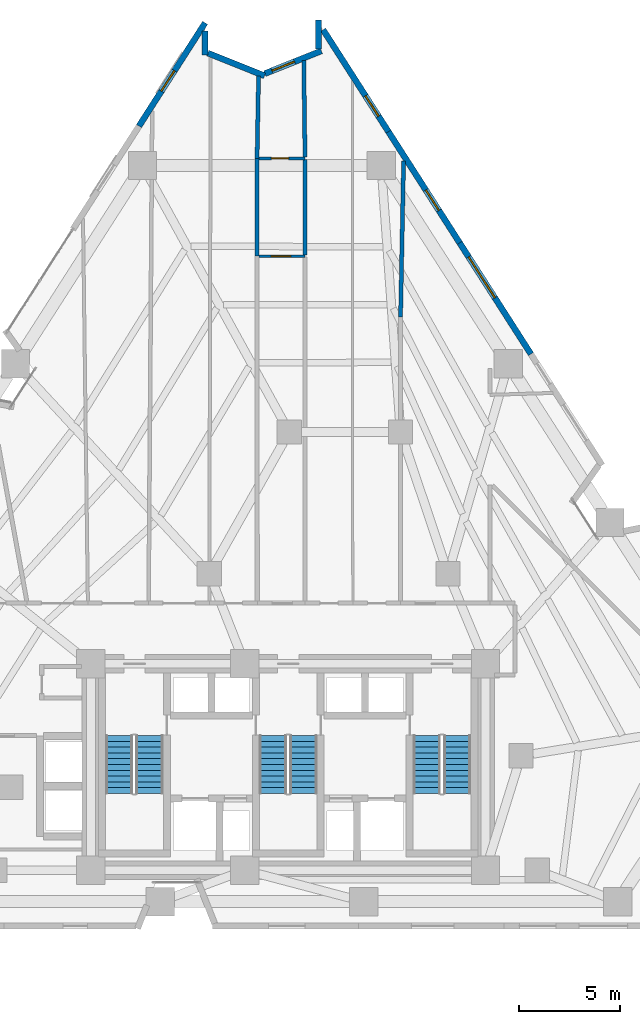
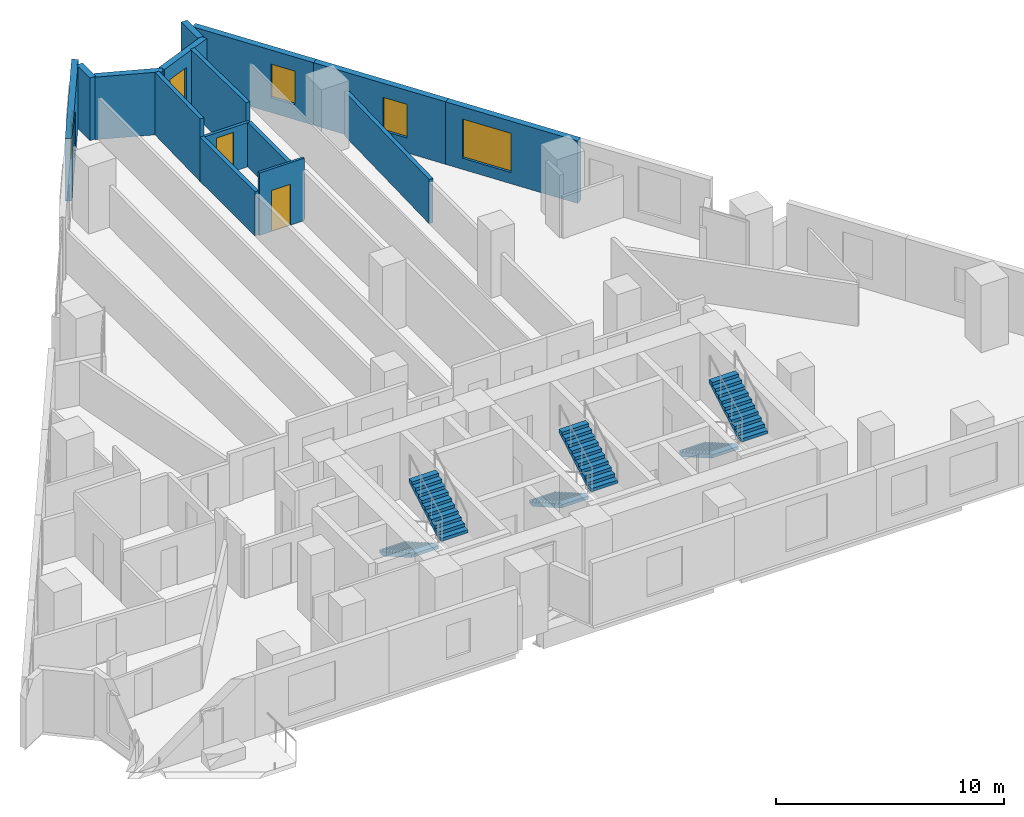
# One storey, part 11 of 14: 15 walls, 6 stair flights, 5 windows, 2 doors, 7 openings, 3 elements without a shape of their own.
"""IFC4 building model written with IfcOpenShell, lengths in metres."""

import ifcopenshell
import ifcopenshell.guid

model = None  # the IFC model being written
_history = None  # IfcOwnerHistory: only IFC2X3 demands one
_inside = {}  # id of a spatial element -> (the spatial element, [elements in it])
_under = {}  # id of a project, library or spatial element -> (it, [spatial elements below it])
_declared = {}  # id of a project -> (the project, [libraries it declares])
_typed = {}  # id of a type object -> (the type object, [elements of that type])
_made_of = {}  # id of a material, layer set ... -> (it, [elements and type objects made of it])


def new_model(schema):
    """Start an empty IFC model of exactly this schema.

    Asked for "IFC4X3", IfcOpenShell would pick the latest addendum, in which some entities
    have other attributes; the version numbers below select the first issue.
    IFC2X3 requires an IfcOwnerHistory on every rooted entity: one is made here for all.
    """
    global model, _history
    if schema == "IFC4X3":
        model = ifcopenshell.file(schema_version=(4, 3, 0, 0))
    else:
        model = ifcopenshell.file(schema=schema)
    _inside.clear()
    _under.clear()
    _declared.clear()
    _typed.clear()
    _made_of.clear()
    _history = None
    if model.schema == "IFC2X3":
        org = make("IfcOrganization", Name="unknown")
        user = make(
            "IfcPersonAndOrganization",
            ThePerson=make("IfcPerson", FamilyName="unknown"),
            TheOrganization=org,
        )
        app = make(
            "IfcApplication",
            ApplicationDeveloper=org,
            Version="unknown",
            ApplicationFullName="unknown",
            ApplicationIdentifier="unknown",
        )
        _history = make(
            "IfcOwnerHistory",
            OwningUser=user,
            OwningApplication=app,
            ChangeAction="ADDED",
            CreationDate=0,
        )
    return model


def make(cls, **values):
    """One entity of the class cls with the attributes given. An attribute that is None is left unset."""
    return model.create_entity(
        cls, **{name: value for name, value in values.items() if value is not None}
    )


def rooted(cls, **values):
    """An entity with a GlobalId (a new one), such as an element, a storey or a relation."""
    return make(cls, GlobalId=ifcopenshell.guid.new(), OwnerHistory=_history, **values)


def si_unit(unit_type, name, prefix=None):
    """IfcSIUnit, for example si_unit("LENGTHUNIT", "METRE", prefix="MILLI")."""
    return make("IfcSIUnit", UnitType=unit_type, Prefix=prefix, Name=name)


def assignment(units):
    """IfcUnitAssignment: the units of a project."""
    return None if units is None else make("IfcUnitAssignment", Units=units)


def point(xyz):
    """IfcCartesianPoint."""
    return None if xyz is None else make("IfcCartesianPoint", Coordinates=xyz)


def direction(xyz):
    """IfcDirection."""
    return None if xyz is None else make("IfcDirection", DirectionRatios=xyz)


def frame(location, z_axis=None, x_axis=None):
    """IfcAxis2Placement3D, a coordinate frame: its origin and axes. An axis left out is left unset."""
    return make(
        "IfcAxis2Placement3D",
        Location=point(location),
        Axis=direction(z_axis),
        RefDirection=direction(x_axis),
    )


def frame_2d(location, x_axis=None):
    """IfcAxis2Placement2D, a coordinate frame in the plane: its origin and x axis."""
    return make(
        "IfcAxis2Placement2D", Location=point(location), RefDirection=direction(x_axis)
    )


def origin():
    """The frame at (0, 0, 0) with its axes left unset."""
    return frame((0.0, 0.0, 0.0))


def place(relative_to, where):
    """IfcLocalPlacement: puts the frame where relative to a parent placement (None: the world)."""
    return make(
        "IfcLocalPlacement", PlacementRelTo=relative_to, RelativePlacement=where
    )


def context(
    kind, dimensions, precision=None, world=None, true_north=None, identifier=None
):
    """IfcGeometricRepresentationContext, for example the 3D "Model" context."""
    return make(
        "IfcGeometricRepresentationContext",
        ContextIdentifier=identifier,
        ContextType=kind,
        CoordinateSpaceDimension=dimensions,
        Precision=precision,
        WorldCoordinateSystem=world,
        TrueNorth=true_north,
    )


def subcontext(parent, identifier, kind, view, scale=None):
    """IfcGeometricRepresentationSubContext, for example "Body" below "Model"."""
    return make(
        "IfcGeometricRepresentationSubContext",
        ContextIdentifier=identifier,
        ContextType=kind,
        ParentContext=parent,
        TargetScale=scale,
        TargetView=view,
    )


def project(units=None, contexts=None):
    """IfcProject with its units and contexts."""
    return rooted(
        "IfcProject",
        Name="project",
        RepresentationContexts=contexts,
        UnitsInContext=assignment(units),
    )


def spatial(cls, under=None, at=None, **own):
    """A site, building, storey or space (cls), placed at a placement, below another one or the project."""
    s = rooted(cls, ObjectPlacement=at, **own)
    if under is not None:
        _under.setdefault(under.id(), (under, []))[1].append(s)
    return s


def polyline(points):
    """IfcPolyline through the points."""
    return make("IfcPolyline", Points=[point(p) for p in points])


def profile(cls, at=None, kind="AREA", **sizes):
    """A parametric profile (cls). Its sizes go by their IFC names, for example OverallWidth=200.0."""
    return make(cls, ProfileType=kind, Position=at, **sizes)


def rectangle(**sizes):
    """IfcRectangleProfileDef."""
    return profile("IfcRectangleProfileDef", **sizes)


def outline(outer, holes=None, kind="AREA"):
    """IfcArbitraryClosedProfileDef: a profile drawn as a closed curve; with holes, ...WithVoids."""
    if holes is None:
        return make("IfcArbitraryClosedProfileDef", ProfileType=kind, OuterCurve=outer)
    return make(
        "IfcArbitraryProfileDefWithVoids",
        ProfileType=kind,
        OuterCurve=outer,
        InnerCurves=holes,
    )


def extrude(swept, where, along, depth):
    """IfcExtrudedAreaSolid: the profile swept, set in the frame where, extruded along a direction by depth."""
    return make(
        "IfcExtrudedAreaSolid",
        SweptArea=swept,
        Position=where,
        ExtrudedDirection=direction(along),
        Depth=depth,
    )


def shape(context_of_items, identifier, shape_type, items):
    """IfcShapeRepresentation: the items that make up one representation, for example the "Body"."""
    return make(
        "IfcShapeRepresentation",
        ContextOfItems=context_of_items,
        RepresentationIdentifier=identifier,
        RepresentationType=shape_type,
        Items=items,
    )


def material(Name=None, Category=None):
    """IfcMaterial."""
    return make("IfcMaterial", Name=Name, Category=Category)


def layer(
    of_material, thickness, ventilated=None, Name=None, Category=None, Priority=None
):
    """IfcMaterialLayer: one layer of a wall or slab, of a material (None: an air gap)."""
    return make(
        "IfcMaterialLayer",
        Material=of_material,
        LayerThickness=thickness,
        IsVentilated=ventilated,
        Name=Name,
        Category=Category,
        Priority=Priority,
    )


def layer_set(layers, Name=None):
    """IfcMaterialLayerSet."""
    return make("IfcMaterialLayerSet", MaterialLayers=layers, LayerSetName=Name)


def made_of(thing, what):
    """Note that an element or type object is made of a material, layer set ...; save() writes the relation."""
    if what is not None:
        _made_of.setdefault(what.id(), (what, []))[1].append(thing)
    return thing


def type_object(cls, material=None, **own):
    """A type object (cls), such as IfcWallType, which elements share."""
    return made_of(rooted(cls, **own), material)


def element(
    cls,
    number,
    at=None,
    inside=None,
    cuts=None,
    type_object=None,
    material=None,
    context=None,
    identifier="Body",
    shape_type=None,
    held_by="IfcProductDefinitionShape",
    body=None,
    shapes=None,
    **own,
):
    """One element of the class cls, such as IfcWall. Its Tag is "e" and its number.

    at: its placement. inside: the storey or other place that contains it. cuts: it is an
    opening in that element (IfcRelVoidsElement). A single representation is given by context,
    identifier, shape_type and body (its items); several are given by shapes. held_by: the class
    of the entity that holds the representations. save() writes the other relations.
    """
    e = rooted(cls, Tag="e%d" % number, ObjectPlacement=at, **own)
    if body is not None:
        shapes = [shape(context, identifier, shape_type, body)]
    if shapes is not None:
        e.Representation = make(held_by, Representations=shapes)
    if inside is not None:
        _inside.setdefault(inside.id(), (inside, []))[1].append(e)
    if cuts is not None:
        rooted(
            "IfcRelVoidsElement", RelatingBuildingElement=cuts, RelatedOpeningElement=e
        )
    if type_object is not None:
        _typed.setdefault(type_object.id(), (type_object, []))[1].append(e)
    return made_of(e, material)


def fill(opening, filler):
    """IfcRelFillsElement: the door or window that sits in an opening."""
    return rooted(
        "IfcRelFillsElement",
        RelatingOpeningElement=opening,
        RelatedBuildingElement=filler,
    )


def aggregate(whole, parts):
    """IfcRelAggregates: a whole, such as a stair, and the parts it consists of."""
    return rooted("IfcRelAggregates", RelatingObject=whole, RelatedObjects=parts)


def save(model, path):
    """Write the relations noted so far, then the file.

    IfcRelAggregates (storeys below a building ...), IfcRelContainedInSpatialStructure (elements
    in a storey), IfcRelDefinesByType, IfcRelAssociatesMaterial and IfcRelDeclares: one each for
    every whole, place, type object, material and project.
    """
    for whole, parts in _under.values():
        aggregate(whole, parts)
    for where, things in _inside.values():
        rooted(
            "IfcRelContainedInSpatialStructure",
            RelatedElements=things,
            RelatingStructure=where,
        )
    for kind, things in _typed.values():
        rooted("IfcRelDefinesByType", RelatedObjects=things, RelatingType=kind)
    for what, things in _made_of.values():
        rooted("IfcRelAssociatesMaterial", RelatedObjects=things, RelatingMaterial=what)
    for by, libraries in _declared.values():
        rooted("IfcRelDeclares", RelatingContext=by, RelatedDefinitions=libraries)
    model.write(path)


model = new_model("IFC4")

# Units and contexts
model_context = context("Model", 3, precision=1e-05, world=origin(), true_north=direction((0.0, 1.0)))
body_context = subcontext(model_context, "Body", "Model", "MODEL_VIEW")
ifc_project = project(units=[si_unit("LENGTHUNIT", "METRE"), si_unit("AREAUNIT", "SQUARE_METRE"), si_unit("VOLUMEUNIT", "CUBIC_METRE"), si_unit("PLANEANGLEUNIT", "RADIAN"), si_unit("MASSUNIT", "GRAM", prefix="KILO")], contexts=[model_context])

# Site, building, storey
site_placement = place(None, origin())
site = spatial("IfcSite", under=ifc_project, at=site_placement, CompositionType="ELEMENT")
building_placement = place(site_placement, origin())
building = spatial("IfcBuilding", under=site, at=building_placement, Name="Almagre Mirador Tower", CompositionType="ELEMENT")
storey_placement = place(building_placement, frame((0.0, 0.0, 35.39990234375)))
storey = spatial("IfcBuildingStorey", under=building, at=storey_placement, Name="L07", CompositionType="ELEMENT", Elevation=35.39990234375)

# Wall, opening, window
ifc_material_1 = material(Name="Precast concrete C50/60", Category="concrete")
ifc_layer_1 = layer(ifc_material_1, 0.300048828125)
ifc_layer_set_1 = layer_set([ifc_layer_1], Name="Precast concrete C50/60")
wall_type_1 = type_object("IfcWallType", Name="WAL-EXT-300", PredefinedType="SOLIDWALL", material=ifc_layer_set_1)
wall_1_placement = place(storey_placement, frame((29.92529296875, 41.321044921875, 0.0), z_axis=(0.0, 0.0, 1.0), x_axis=(0.53953502124, 0.841963158847, 0.0)))
wall_1 = element("IfcWall", 1, at=wall_1_placement, inside=storey, type_object=wall_type_1, Name="L07 expressed almagre precast frame wall 04", PredefinedType="SOLIDWALL", context=body_context, shape_type="SweptSolid", body=[
    extrude(rectangle(XDim=6.05859375, YDim=0.300048828125, at=frame_2d((3.029296875, 0.0))), origin(), (0.0, 0.0, 1.0), 3.35009765625),
])
opening_1_placement = place(wall_1_placement, frame((2.050048828125, 0.0, 0.800048828125)))
opening_1 = element("IfcOpeningElement", 2, at=opening_1_placement, cuts=wall_1, Name="Opening WN-04", PredefinedType="OPENING", context=body_context, shape_type="SweptSolid", body=[
    extrude(rectangle(XDim=1.199951171875, YDim=1.800048828125, at=frame_2d((0.60009765625, 0.89990234375))), frame((0.0, 0.159902, 0.0), z_axis=(0.0, -1.0, 0.0), x_axis=(1.0, 0.0, 0.0)), (0.0, 0.0, 1.0), 0.320049),
])
ifc_material_2 = material(Name="Dark solar-control laminated hurricane glass", Category="glass")
window_type_1 = type_object("IfcWindowType", Name="WIN-1200X1800", PartitioningType="SINGLE_PANEL", PredefinedType="WINDOW", material=ifc_material_2)
window_1_placement = place(opening_1_placement, origin())
window_1 = element("IfcWindow", 3, at=window_1_placement, inside=storey, type_object=window_type_1, Name="L07 recessed hurricane window L07-RST-L", OverallHeight=1.800048828125, OverallWidth=1.199951171875, PartitioningType="SINGLE_PANEL", PredefinedType="WINDOW", context=body_context, shape_type="SweptSolid", body=[
    extrude(rectangle(XDim=1.199951171875, YDim=1.800048828125, at=frame_2d((0.60009765625, 0.89990234375))), frame((0.0, 0.030029296875, 0.0), z_axis=(0.0, -1.0, 0.0), x_axis=(1.0, 0.0, 0.0)), (0.0, 0.0, 1.0), 0.06005859375),
])
fill(opening_1, window_1)

# Walls
wall_2_placement = place(storey_placement, frame((33.194091796875, 46.011962890625, 0.0), z_axis=(0.0, 0.0, 1.0), x_axis=(0.0, -1.0, 0.0)))
element("IfcWall", 4, at=wall_2_placement, inside=storey, type_object=wall_type_1, Name="L07 expressed almagre precast frame wall 05", PredefinedType="SOLIDWALL", context=body_context, shape_type="SweptSolid", body=[
    extrude(rectangle(XDim=1.169921875, YDim=0.300048828125, at=frame_2d((0.5849609375, 0.0))), origin(), (0.0, 0.0, 1.0), 3.35009765625),
])
wall_3_placement = place(storey_placement, frame((33.323974609375, 44.9296875, 0.0), z_axis=(0.0, 0.0, 1.0), x_axis=(0.928091921944, -0.372351157407, 0.0)))
element("IfcWall", 5, at=wall_3_placement, inside=storey, type_object=wall_type_1, Name="L07 expressed almagre precast frame wall 06", PredefinedType="SOLIDWALL", context=body_context, shape_type="SweptSolid", body=[
    extrude(rectangle(XDim=3.023193359375, YDim=0.300048828125, at=frame_2d((1.51171875, 0.0))), origin(), (0.0, 0.0, 1.0), 3.35009765625),
])

# Wall, opening, window
wall_4_placement = place(storey_placement, frame((36.13916015625, 43.911865234375, 0.0), z_axis=(0.0, 0.0, 1.0), x_axis=(0.928057043086, 0.372438081804, 0.0)))
wall_4 = element("IfcWall", 6, at=wall_4_placement, inside=storey, type_object=wall_type_1, Name="L07 expressed almagre precast frame wall 07", PredefinedType="SOLIDWALL", context=body_context, shape_type="SweptSolid", body=[
    extrude(rectangle(XDim=3.013427734375, YDim=0.300048828125, at=frame_2d((1.5068359375, 0.0))), origin(), (0.0, 0.0, 1.0), 3.35009765625),
])
opening_2_placement = place(wall_4_placement, frame((0.385009765625, 0.0, 0.800048828125)))
opening_2 = element("IfcOpeningElement", 7, at=opening_2_placement, cuts=wall_4, Name="Opening WN-04", PredefinedType="OPENING", context=body_context, shape_type="SweptSolid", body=[
    extrude(rectangle(XDim=1.199951171875, YDim=1.800048828125, at=frame_2d((0.60009765625, 0.89990234375))), frame((0.0, 0.159902, 0.0), z_axis=(0.0, -1.0, 0.0), x_axis=(1.0, 0.0, 0.0)), (0.0, 0.0, 1.0), 0.320049),
])
window_2_placement = place(opening_2_placement, origin())
window_2 = element("IfcWindow", 8, at=window_2_placement, inside=storey, type_object=window_type_1, Name="L07 recessed hurricane window L07-UN-BT", OverallHeight=1.800048828125, OverallWidth=1.199951171875, PartitioningType="SINGLE_PANEL", PredefinedType="WINDOW", context=body_context, shape_type="SweptSolid", body=[
    extrude(rectangle(XDim=1.199951171875, YDim=1.800048828125, at=frame_2d((0.60009765625, 0.89990234375))), frame((0.0, 0.030029296875, 0.0), z_axis=(0.0, -1.0, 0.0), x_axis=(1.0, 0.0, 0.0)), (0.0, 0.0, 1.0), 0.06005859375),
])
fill(opening_2, window_2)

# Wall
wall_5_placement = place(storey_placement, frame((38.805908203125, 45.1220703125, 0.0), z_axis=(0.0, 0.0, 1.0), x_axis=(0.0, 1.0, 0.0)))
element("IfcWall", 9, at=wall_5_placement, inside=storey, type_object=wall_type_1, Name="L07 expressed almagre precast frame wall 08", PredefinedType="SOLIDWALL", context=body_context, shape_type="SweptSolid", body=[
    extrude(rectangle(XDim=1.43994140625, YDim=0.300048828125, at=frame_2d((0.719970703125, 0.0))), origin(), (0.0, 0.0, 1.0), 3.35009765625),
])

# Wall, opening, window
wall_6_placement = place(storey_placement, frame((39.0244140625, 46.0810546875, 0.0), z_axis=(0.0, 0.0, 1.0), x_axis=(0.539527381639, -0.8419680543, 0.0)))
wall_6 = element("IfcWall", 10, at=wall_6_placement, inside=storey, type_object=wall_type_1, Name="L07 expressed almagre precast frame wall 09", PredefinedType="SOLIDWALL", context=body_context, shape_type="SweptSolid", body=[
    extrude(rectangle(XDim=5.980712890625, YDim=0.300048828125, at=frame_2d((2.990234375, 0.0))), origin(), (0.0, 0.0, 1.0), 3.35009765625),
])
opening_3_placement = place(wall_6_placement, frame((3.8798828125, 0.0, 0.800048828125)))
opening_3 = element("IfcOpeningElement", 11, at=opening_3_placement, cuts=wall_6, Name="Opening WN-04", PredefinedType="OPENING", context=body_context, shape_type="SweptSolid", body=[
    extrude(rectangle(XDim=1.199951171875, YDim=1.800048828125, at=frame_2d((0.60009765625, 0.89990234375))), frame((0.0, 0.159902, 0.0), z_axis=(0.0, -1.0, 0.0), x_axis=(1.0, 0.0, 0.0)), (0.0, 0.0, 1.0), 0.320049),
])
window_3_placement = place(opening_3_placement, origin())
window_3 = element("IfcWindow", 12, at=window_3_placement, inside=storey, type_object=window_type_1, Name="L07 recessed hurricane window L07-RST-A", OverallHeight=1.800048828125, OverallWidth=1.199951171875, PartitioningType="SINGLE_PANEL", PredefinedType="WINDOW", context=body_context, shape_type="SweptSolid", body=[
    extrude(rectangle(XDim=1.199951171875, YDim=1.800048828125, at=frame_2d((0.60009765625, 0.89990234375))), frame((0.0, 0.030029296875, 0.0), z_axis=(0.0, -1.0, 0.0), x_axis=(1.0, 0.0, 0.0)), (0.0, 0.0, 1.0), 0.06005859375),
])
fill(opening_3, window_3)

wall_7_placement = place(storey_placement, frame((42.251220703125, 41.04541015625, 0.0), z_axis=(0.0, 0.0, 1.0), x_axis=(0.539526045631, -0.841968910403, 0.0)))
wall_7 = element("IfcWall", 13, at=wall_7_placement, inside=storey, type_object=wall_type_1, Name="L07 expressed almagre precast frame wall 10", PredefinedType="SOLIDWALL", context=body_context, shape_type="SweptSolid", body=[
    extrude(rectangle(XDim=6.525634765625, YDim=0.300048828125, at=frame_2d((3.2626953125, 0.0))), origin(), (0.0, 0.0, 1.0), 3.35009765625),
])
opening_4_placement = place(wall_7_placement, frame((3.425048828125, 0.0, 0.800048828125)))
opening_4 = element("IfcOpeningElement", 14, at=opening_4_placement, cuts=wall_7, Name="Opening WN-04", PredefinedType="OPENING", context=body_context, shape_type="SweptSolid", body=[
    extrude(rectangle(XDim=1.199951171875, YDim=1.800048828125, at=frame_2d((0.60009765625, 0.89990234375))), frame((0.0, 0.159902, 0.0), z_axis=(0.0, -1.0, 0.0), x_axis=(1.0, 0.0, 0.0)), (0.0, 0.0, 1.0), 0.320049),
])
window_4_placement = place(opening_4_placement, origin())
window_4 = element("IfcWindow", 15, at=window_4_placement, inside=storey, type_object=window_type_1, Name="L07 recessed hurricane window L07-UB-KT-2", OverallHeight=1.800048828125, OverallWidth=1.199951171875, PartitioningType="SINGLE_PANEL", PredefinedType="WINDOW", context=body_context, shape_type="SweptSolid", body=[
    extrude(rectangle(XDim=1.199951171875, YDim=1.800048828125, at=frame_2d((0.60009765625, 0.89990234375))), frame((0.0, 0.030029296875, 0.0), z_axis=(0.0, -1.0, 0.0), x_axis=(1.0, 0.0, 0.0)), (0.0, 0.0, 1.0), 0.06005859375),
])
fill(opening_4, window_4)

wall_8_placement = place(storey_placement, frame((45.77197265625, 35.551025390625, 0.0), z_axis=(0.0, 0.0, 1.0), x_axis=(0.539526045631, -0.841968910403, 0.0)))
wall_8 = element("IfcWall", 16, at=wall_8_placement, inside=storey, type_object=wall_type_1, Name="L07 expressed almagre precast frame wall 11", PredefinedType="SOLIDWALL", context=body_context, shape_type="SweptSolid", body=[
    extrude(rectangle(XDim=6.525634765625, YDim=0.300048828125, at=frame_2d((3.2626953125, 0.0))), origin(), (0.0, 0.0, 1.0), 3.35009765625),
])
opening_5_placement = place(wall_8_placement, frame((0.824951171875, 0.0, 0.60009765625)))
opening_5 = element("IfcOpeningElement", 17, at=opening_5_placement, cuts=wall_8, Name="Opening WN-02", PredefinedType="OPENING", context=body_context, shape_type="SweptSolid", body=[
    extrude(rectangle(XDim=2.39990234375, YDim=2.10009765625, at=frame_2d((1.199951171875, 1.050048828125))), frame((0.0, 0.159902, 0.0), z_axis=(0.0, -1.0, 0.0), x_axis=(1.0, 0.0, 0.0)), (0.0, 0.0, 1.0), 0.320049),
])
ifc_material_3 = material(Name="Dark solar-control laminated hurricane glass", Category="glass")
window_type_2 = type_object("IfcWindowType", Name="WIN-2400X2100", PartitioningType="TRIPLE_PANEL_VERTICAL", PredefinedType="WINDOW", material=ifc_material_3)
window_5_placement = place(opening_5_placement, origin())
window_5 = element("IfcWindow", 18, at=window_5_placement, inside=storey, type_object=window_type_2, Name="L07 recessed hurricane window L07-UB-BT-2", OverallHeight=2.10009765625, OverallWidth=2.39990234375, PartitioningType="SINGLE_PANEL", PredefinedType="WINDOW", context=body_context, shape_type="SweptSolid", body=[
    extrude(rectangle(XDim=2.39990234375, YDim=2.10009765625, at=frame_2d((1.199951171875, 1.050048828125))), frame((0.0, 0.030029296875, 0.0), z_axis=(0.0, -1.0, 0.0), x_axis=(1.0, 0.0, 0.0)), (0.0, 0.0, 1.0), 0.06005859375),
])
fill(opening_5, window_5)

# Wall, opening, door
ifc_material_4 = material(Name="Gypsum acoustic stud partition", Category="other")
ifc_layer_2 = layer(ifc_material_4, 0.125)
ifc_layer_set_2 = layer_set([ifc_layer_2], Name="Gypsum acoustic stud partition")
wall_type_2 = type_object("IfcWallType", Name="WAL-PRT-125-UTL", PredefinedType="PARTITIONING", material=ifc_layer_set_2)
wall_9_placement = place(storey_placement, frame((38.1298828125, 34.89990234375, 0.0), z_axis=(0.0, 0.0, 1.0), x_axis=(-1.0, 0.0, 0.0)))
wall_9 = element("IfcWall", 19, at=wall_9_placement, inside=storey, type_object=wall_type_2, Name="L07 interior partition 056", PredefinedType="PARTITIONING", context=body_context, shape_type="SweptSolid", body=[
    extrude(rectangle(XDim=2.284912109375, YDim=0.125, at=frame_2d((1.142578125, 0.0))), origin(), (0.0, 0.0, 1.0), 3.35009765625),
])
opening_6_placement = place(wall_9_placement, frame((0.7099609375, 0.0, 0.0)))
opening_6 = element("IfcOpeningElement", 20, at=opening_6_placement, cuts=wall_9, Name="Opening UD-01", PredefinedType="OPENING", context=body_context, shape_type="SweptSolid", body=[
    extrude(rectangle(XDim=0.949951171875, YDim=2.199951171875, at=frame_2d((0.47509765625, 1.10009765625))), frame((0.0, 0.0725, 0.0), z_axis=(0.0, -1.0, 0.0), x_axis=(1.0, 0.0, 0.0)), (0.0, 0.0, 1.0), 0.145),
])
ifc_material_5 = material(Name="Solid American walnut timber", Category="wood")
door_type_1 = type_object("IfcDoorType", Name="DOR-UNR-950X2200", OperationType="NOTDEFINED", PredefinedType="DOOR", material=ifc_material_5)
door_1_placement = place(opening_6_placement, origin())
door_1 = element("IfcDoor", 21, at=door_1_placement, inside=storey, type_object=door_type_1, Name="DR-0227 L07 interior door L07-UN-ST to L07-UN-KT", OperationType="SINGLE_SWING_RIGHT", OverallHeight=2.199951171875, OverallWidth=0.949951171875, PredefinedType="DOOR", context=body_context, shape_type="SweptSolid", body=[
    extrude(rectangle(XDim=0.949951171875, YDim=2.199951171875, at=frame_2d((0.47509765625, 1.10009765625))), frame((0.0, 0.02490234375, 0.0), z_axis=(0.0, -1.0, 0.0), x_axis=(1.0, 0.0, 0.0)), (0.0, 0.0, 1.0), 0.050048828125),
])
fill(opening_6, door_1)

ifc_material_6 = material(Name="Gypsum acoustic stud partition", Category="other")
ifc_layer_3 = layer(ifc_material_6, 0.14990234375)
ifc_layer_set_3 = layer_set([ifc_layer_3], Name="Gypsum acoustic stud partition")
wall_type_3 = type_object("IfcWallType", Name="WAL-PRT-150-STD", PredefinedType="PARTITIONING", material=ifc_layer_set_3)
wall_10_placement = place(storey_placement, frame((38.1298828125, 39.719970703125, 0.0), z_axis=(0.0, 0.0, 1.0), x_axis=(-1.0, 0.0, 0.0)))
wall_10 = element("IfcWall", 22, at=wall_10_placement, inside=storey, type_object=wall_type_3, Name="L07 interior partition 059", PredefinedType="PARTITIONING", context=body_context, shape_type="SweptSolid", body=[
    extrude(rectangle(XDim=2.284912109375, YDim=0.14990234375, at=frame_2d((1.142578125, 0.0))), origin(), (0.0, 0.0, 1.0), 2.3701171875),
])
opening_7_placement = place(wall_10_placement, frame((0.81640625, 0.0, 0.0)))
opening_7 = element("IfcOpeningElement", 23, at=opening_7_placement, cuts=wall_10, Name="Opening UD-04", PredefinedType="OPENING", context=body_context, shape_type="SweptSolid", body=[
    extrude(rectangle(XDim=0.85009765625, YDim=2.10009765625, at=frame_2d((0.425048828125, 1.050048828125))), frame((0.0, 0.084951, 0.0), z_axis=(0.0, -1.0, 0.0), x_axis=(1.0, 0.0, 0.0)), (0.0, 0.0, 1.0), 0.169902),
])
ifc_material_7 = material(Name="Moisture-resistant oak timber", Category="wood")
door_type_2 = type_object("IfcDoorType", Name="DOR-UNR-850X2100", OperationType="NOTDEFINED", PredefinedType="DOOR", material=ifc_material_7)
door_2_placement = place(opening_7_placement, origin())
door_2 = element("IfcDoor", 24, at=door_2_placement, inside=storey, type_object=door_type_2, Name="DR-0228 L07 interior door L07-UN-KT to L07-UN-BT", OperationType="SINGLE_SWING_LEFT", OverallHeight=2.10009765625, OverallWidth=0.85009765625, PredefinedType="DOOR", context=body_context, shape_type="SweptSolid", body=[
    extrude(rectangle(XDim=0.85009765625, YDim=2.10009765625, at=frame_2d((0.425048828125, 1.050048828125))), frame((0.0, 0.02490234375, 0.0), z_axis=(0.0, -1.0, 0.0), x_axis=(1.0, 0.0, 0.0)), (0.0, 0.0, 1.0), 0.050048828125),
])
fill(opening_7, door_2)

# Walls
ifc_material_8 = material(Name="Gypsum acoustic stud partition", Category="other")
ifc_layer_4 = layer(ifc_material_8, 0.199951171875)
ifc_layer_set_4 = layer_set([ifc_layer_4], Name="Gypsum acoustic stud partition")
wall_type_4 = type_object("IfcWallType", Name="WAL-PRT-200-EI60", PredefinedType="PARTITIONING", material=ifc_layer_set_4)
wall_11_placement = place(storey_placement, frame((35.760009765625, 34.89990234375, 0.0), z_axis=(0.0, 0.0, 1.0), x_axis=(0.0, 1.0, 0.0)))
element("IfcWall", 25, at=wall_11_placement, inside=storey, type_object=wall_type_4, Name="L07 interior partition 054", PredefinedType="PARTITIONING", context=body_context, shape_type="SweptSolid", body=[
    extrude(rectangle(XDim=4.820068359375, YDim=0.199951171875, at=frame_2d((2.41015625, 0.0))), origin(), (0.0, 0.0, 1.0), 2.3701171875),
])
wall_12_placement = place(storey_placement, frame((35.760009765625, 39.719970703125, 0.0), z_axis=(0.0, 0.0, 1.0), x_axis=(0.018136384294, 0.999835522256, 0.0)))
element("IfcWall", 26, at=wall_12_placement, inside=storey, type_object=wall_type_4, Name="L07 interior partition 055", PredefinedType="PARTITIONING", context=body_context, shape_type="SweptSolid", body=[
    extrude(rectangle(XDim=4.078857421875, YDim=0.199951171875, at=frame_2d((2.03955078125, 0.0))), origin(), (0.0, 0.0, 1.0), 3.35009765625),
])
wall_13_placement = place(storey_placement, frame((38.1298828125, 34.947509765625, 0.0), z_axis=(0.0, 0.0, 1.0), x_axis=(0.0, 1.0, 0.0)))
element("IfcWall", 27, at=wall_13_placement, inside=storey, type_object=wall_type_4, Name="L07 interior partition 060", PredefinedType="PARTITIONING", context=body_context, shape_type="SweptSolid", body=[
    extrude(rectangle(XDim=4.71240234375, YDim=0.199951171875, at=frame_2d((2.356201171875, 0.0))), origin(), (0.0, 0.0, 1.0), 2.3701171875),
])
wall_14_placement = place(storey_placement, frame((38.12939453125, 39.780029296875, 0.0), z_axis=(0.0, 0.0, 1.0), x_axis=(-0.01278680862, 0.999918245421, 0.0)))
element("IfcWall", 28, at=wall_14_placement, inside=storey, type_object=wall_type_4, Name="L07 interior partition 061", PredefinedType="PARTITIONING", context=body_context, shape_type="SweptSolid", body=[
    extrude(rectangle(XDim=4.79248046875, YDim=0.199951171875, at=frame_2d((2.396240234375, 0.0))), origin(), (0.0, 0.0, 1.0), 3.35009765625),
])
wall_15_placement = place(storey_placement, frame((42.85009765625, 31.889892578125, 0.0), z_axis=(0.0, 0.0, 1.0), x_axis=(0.019600966642, 0.999807882599, 0.0)))
element("IfcWall", 29, at=wall_15_placement, inside=storey, type_object=wall_type_4, Name="L07 interior partition 064", PredefinedType="PARTITIONING", context=body_context, shape_type="SweptSolid", body=[
    extrude(rectangle(XDim=7.697509765625, YDim=0.199951171875, at=frame_2d((3.8486328125, 0.0))), origin(), (0.0, 0.0, 1.0), 2.3701171875),
])

# Stair, stair flights
ifc_material_9 = material(Name="Concrete C45/55", Category="concrete")
stair_type = type_object("IfcStairType", Name="STR-DL-3600", PredefinedType="HALF_TURN_STAIR", material=ifc_material_9)
stair_1_placement = place(storey_placement, origin())
stair_1 = element("IfcStair", 30, at=stair_1_placement, inside=storey, type_object=stair_type, Name="L07 Protected exit stair ST-1", PredefinedType="HALF_TURN_STAIR")
ifc_material_10 = material(Name="Concrete C45/55", Category="concrete")
stair_flight_type = type_object("IfcStairFlightType", Name="FLT-DL-3600", PredefinedType="STRAIGHT", material=ifc_material_10)
stair_flight_1_placement = place(storey_placement, frame((28.949951171875, 11.199951171875, 0.0), z_axis=(0.0, 0.0, 1.0), x_axis=(0.0, -1.0, 0.0)))
stair_flight_1 = element("IfcStairFlight", 31, at=stair_flight_1_placement, type_object=stair_flight_type, Name="ST-1 flight 1", NumberOfRisers=11, NumberOfTreads=10, PredefinedType="STRAIGHT", RiserHeight=0.163636364, TreadLength=0.285, context=body_context, shape_type="SweptSolid", body=[
    extrude(outline(polyline([(0.0, 0.0), (0.0, 0.16357421875), (0.284912109375, 0.16357421875), (0.284912109375, 0.327392578125), (0.570068359375, 0.327392578125), (0.570068359375, 0.490966796875), (0.85498046875, 0.490966796875), (0.85498046875, 0.654541015625), (1.139892578125, 0.654541015625), (1.139892578125, 0.818115234375), (1.425048828125, 0.818115234375), (1.425048828125, 0.98193359375), (1.7099609375, 0.98193359375), (1.7099609375, 1.1455078125), (1.9951171875, 1.1455078125), (1.9951171875, 1.30908203125), (2.280029296875, 1.30908203125), (2.280029296875, 1.47265625), (2.56494140625, 1.47265625), (2.56494140625, 1.636474609375), (2.85009765625, 1.636474609375), (2.85009765625, 1.800048828125), (2.85009765625, 1.463623046875), (0.301025390625, 0.0), (0.0, 0.0)])), frame((0.0, 0.675048828125, 0.0), z_axis=(0.0, -1.0, 0.0), x_axis=(1.0, 0.0, 0.0)), (0.0, 0.0, 1.0), 1.35009765625),
])
stair_flight_2_placement = place(storey_placement, frame((30.449951171875, 8.35009765625, 1.800048828125), z_axis=(0.0, 0.0, 1.0), x_axis=(0.0, 1.0, 0.0)))
stair_flight_2 = element("IfcStairFlight", 32, at=stair_flight_2_placement, type_object=stair_flight_type, Name="ST-1 flight 2", NumberOfRisers=11, NumberOfTreads=10, PredefinedType="STRAIGHT", RiserHeight=0.163636364, TreadLength=0.285, context=body_context, shape_type="SweptSolid", body=[
    extrude(outline(polyline([(0.0, 0.0), (0.0, 0.16357421875), (0.284912109375, 0.16357421875), (0.284912109375, 0.327392578125), (0.570068359375, 0.327392578125), (0.570068359375, 0.490966796875), (0.85498046875, 0.490966796875), (0.85498046875, 0.654541015625), (1.139892578125, 0.654541015625), (1.139892578125, 0.818115234375), (1.425048828125, 0.818115234375), (1.425048828125, 0.98193359375), (1.7099609375, 0.98193359375), (1.7099609375, 1.1455078125), (1.9951171875, 1.1455078125), (1.9951171875, 1.30908203125), (2.280029296875, 1.30908203125), (2.280029296875, 1.47265625), (2.56494140625, 1.47265625), (2.56494140625, 1.636474609375), (2.85009765625, 1.636474609375), (2.85009765625, 1.800048828125), (2.85009765625, 1.463623046875), (0.301025390625, 0.0), (0.0, 0.0)])), frame((0.0, 0.675048828125, 0.0), z_axis=(0.0, -1.0, 0.0), x_axis=(1.0, 0.0, 0.0)), (0.0, 0.0, 1.0), 1.35009765625),
])
aggregate(stair_1, [stair_flight_1, stair_flight_2])

stair_2_placement = place(storey_placement, origin())
stair_2 = element("IfcStair", 33, at=stair_2_placement, inside=storey, type_object=stair_type, Name="L07 Protected exit stair ST-2", PredefinedType="HALF_TURN_STAIR")
stair_flight_3_placement = place(storey_placement, frame((36.550048828125, 11.199951171875, 0.0), z_axis=(0.0, 0.0, 1.0), x_axis=(0.0, -1.0, 0.0)))
stair_flight_3 = element("IfcStairFlight", 34, at=stair_flight_3_placement, type_object=stair_flight_type, Name="ST-2 flight 1", NumberOfRisers=11, NumberOfTreads=10, PredefinedType="STRAIGHT", RiserHeight=0.163636364, TreadLength=0.285, context=body_context, shape_type="SweptSolid", body=[
    extrude(outline(polyline([(0.0, 0.0), (0.0, 0.16357421875), (0.284912109375, 0.16357421875), (0.284912109375, 0.327392578125), (0.570068359375, 0.327392578125), (0.570068359375, 0.490966796875), (0.85498046875, 0.490966796875), (0.85498046875, 0.654541015625), (1.139892578125, 0.654541015625), (1.139892578125, 0.818115234375), (1.425048828125, 0.818115234375), (1.425048828125, 0.98193359375), (1.7099609375, 0.98193359375), (1.7099609375, 1.1455078125), (1.9951171875, 1.1455078125), (1.9951171875, 1.30908203125), (2.280029296875, 1.30908203125), (2.280029296875, 1.47265625), (2.56494140625, 1.47265625), (2.56494140625, 1.636474609375), (2.85009765625, 1.636474609375), (2.85009765625, 1.800048828125), (2.85009765625, 1.463623046875), (0.301025390625, 0.0), (0.0, 0.0)])), frame((0.0, 0.675048828125, 0.0), z_axis=(0.0, -1.0, 0.0), x_axis=(1.0, 0.0, 0.0)), (0.0, 0.0, 1.0), 1.35009765625),
])
stair_flight_4_placement = place(storey_placement, frame((38.050048828125, 8.35009765625, 1.800048828125), z_axis=(0.0, 0.0, 1.0), x_axis=(0.0, 1.0, 0.0)))
stair_flight_4 = element("IfcStairFlight", 35, at=stair_flight_4_placement, type_object=stair_flight_type, Name="ST-2 flight 2", NumberOfRisers=11, NumberOfTreads=10, PredefinedType="STRAIGHT", RiserHeight=0.163636364, TreadLength=0.285, context=body_context, shape_type="SweptSolid", body=[
    extrude(outline(polyline([(0.0, 0.0), (0.0, 0.16357421875), (0.284912109375, 0.16357421875), (0.284912109375, 0.327392578125), (0.570068359375, 0.327392578125), (0.570068359375, 0.490966796875), (0.85498046875, 0.490966796875), (0.85498046875, 0.654541015625), (1.139892578125, 0.654541015625), (1.139892578125, 0.818115234375), (1.425048828125, 0.818115234375), (1.425048828125, 0.98193359375), (1.7099609375, 0.98193359375), (1.7099609375, 1.1455078125), (1.9951171875, 1.1455078125), (1.9951171875, 1.30908203125), (2.280029296875, 1.30908203125), (2.280029296875, 1.47265625), (2.56494140625, 1.47265625), (2.56494140625, 1.636474609375), (2.85009765625, 1.636474609375), (2.85009765625, 1.800048828125), (2.85009765625, 1.463623046875), (0.301025390625, 0.0), (0.0, 0.0)])), frame((0.0, 0.675048828125, 0.0), z_axis=(0.0, -1.0, 0.0), x_axis=(1.0, 0.0, 0.0)), (0.0, 0.0, 1.0), 1.35009765625),
])
aggregate(stair_2, [stair_flight_3, stair_flight_4])

stair_3_placement = place(storey_placement, origin())
stair_3 = element("IfcStair", 36, at=stair_3_placement, inside=storey, type_object=stair_type, Name="L07 Protected exit stair ST-3", PredefinedType="HALF_TURN_STAIR")
stair_flight_5_placement = place(storey_placement, frame((44.14990234375, 11.199951171875, 0.0), z_axis=(0.0, 0.0, 1.0), x_axis=(0.0, -1.0, 0.0)))
stair_flight_5 = element("IfcStairFlight", 37, at=stair_flight_5_placement, type_object=stair_flight_type, Name="ST-3 flight 1", NumberOfRisers=11, NumberOfTreads=10, PredefinedType="STRAIGHT", RiserHeight=0.163636364, TreadLength=0.285, context=body_context, shape_type="SweptSolid", body=[
    extrude(outline(polyline([(0.0, 0.0), (0.0, 0.16357421875), (0.284912109375, 0.16357421875), (0.284912109375, 0.327392578125), (0.570068359375, 0.327392578125), (0.570068359375, 0.490966796875), (0.85498046875, 0.490966796875), (0.85498046875, 0.654541015625), (1.139892578125, 0.654541015625), (1.139892578125, 0.818115234375), (1.425048828125, 0.818115234375), (1.425048828125, 0.98193359375), (1.7099609375, 0.98193359375), (1.7099609375, 1.1455078125), (1.9951171875, 1.1455078125), (1.9951171875, 1.30908203125), (2.280029296875, 1.30908203125), (2.280029296875, 1.47265625), (2.56494140625, 1.47265625), (2.56494140625, 1.636474609375), (2.85009765625, 1.636474609375), (2.85009765625, 1.800048828125), (2.85009765625, 1.463623046875), (0.301025390625, 0.0), (0.0, 0.0)])), frame((0.0, 0.675048828125, 0.0), z_axis=(0.0, -1.0, 0.0), x_axis=(1.0, 0.0, 0.0)), (0.0, 0.0, 1.0), 1.35009765625),
])
stair_flight_6_placement = place(storey_placement, frame((45.64990234375, 8.35009765625, 1.800048828125), z_axis=(0.0, 0.0, 1.0), x_axis=(0.0, 1.0, 0.0)))
stair_flight_6 = element("IfcStairFlight", 38, at=stair_flight_6_placement, type_object=stair_flight_type, Name="ST-3 flight 2", NumberOfRisers=11, NumberOfTreads=10, PredefinedType="STRAIGHT", RiserHeight=0.163636364, TreadLength=0.285, context=body_context, shape_type="SweptSolid", body=[
    extrude(outline(polyline([(0.0, 0.0), (0.0, 0.16357421875), (0.284912109375, 0.16357421875), (0.284912109375, 0.327392578125), (0.570068359375, 0.327392578125), (0.570068359375, 0.490966796875), (0.85498046875, 0.490966796875), (0.85498046875, 0.654541015625), (1.139892578125, 0.654541015625), (1.139892578125, 0.818115234375), (1.425048828125, 0.818115234375), (1.425048828125, 0.98193359375), (1.7099609375, 0.98193359375), (1.7099609375, 1.1455078125), (1.9951171875, 1.1455078125), (1.9951171875, 1.30908203125), (2.280029296875, 1.30908203125), (2.280029296875, 1.47265625), (2.56494140625, 1.47265625), (2.56494140625, 1.636474609375), (2.85009765625, 1.636474609375), (2.85009765625, 1.800048828125), (2.85009765625, 1.463623046875), (0.301025390625, 0.0), (0.0, 0.0)])), frame((0.0, 0.675048828125, 0.0), z_axis=(0.0, -1.0, 0.0), x_axis=(1.0, 0.0, 0.0)), (0.0, 0.0, 1.0), 1.35009765625),
])
aggregate(stair_3, [stair_flight_5, stair_flight_6])

save(model, "model.ifc")
